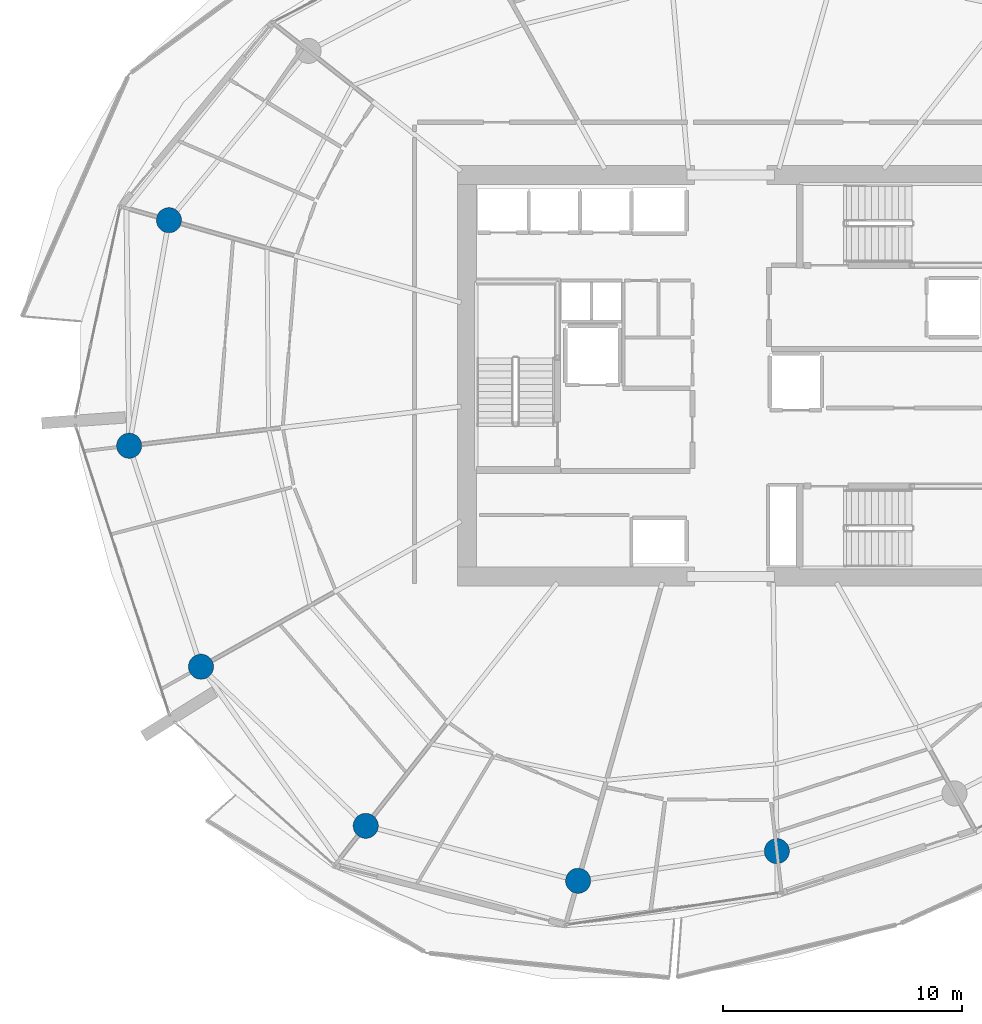
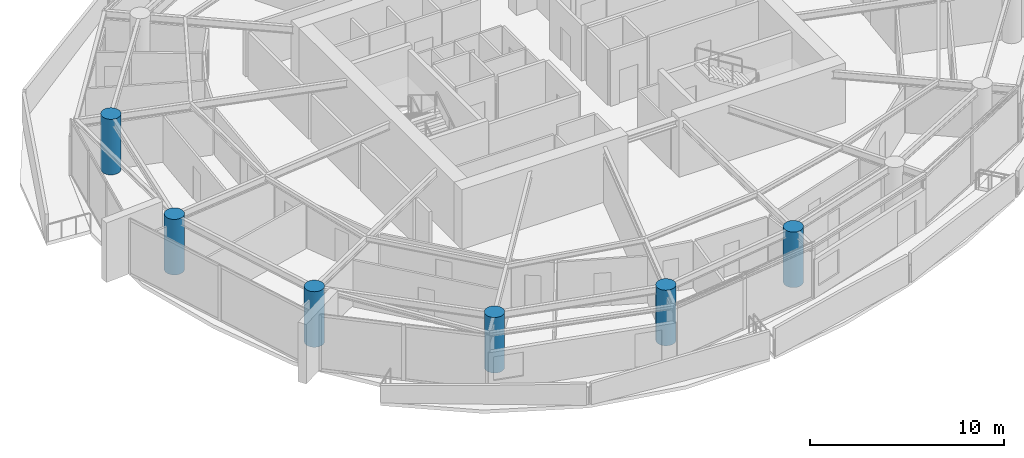
# One storey, part 1 of 20: 6 columns.
"""IFC4 building model written with IfcOpenShell, lengths in metres."""

from ifc_helpers import new_model, si_unit, direction, frame, origin, origin_2d, place, context, subcontext, project, spatial, circle, extrude, material, material_profile, profile_set, type_object, element, save


model = new_model("IFC4")

# Units and contexts
model_context = context("Model", 3, precision=1e-05, world=origin(), true_north=direction((0.0, 1.0)))
body_context = subcontext(model_context, "Body", "Model", "MODEL_VIEW")
ifc_project = project(units=[si_unit("LENGTHUNIT", "METRE"), si_unit("AREAUNIT", "SQUARE_METRE"), si_unit("VOLUMEUNIT", "CUBIC_METRE"), si_unit("PLANEANGLEUNIT", "RADIAN"), si_unit("MASSUNIT", "GRAM", prefix="KILO")], contexts=[model_context])

# Site, building, storey
site_placement = place(None, origin())
site = spatial("IfcSite", under=ifc_project, at=site_placement, CompositionType="ELEMENT")
building_placement = place(site_placement, origin())
building = spatial("IfcBuilding", under=site, at=building_placement, Name="Kazma Halo Residences", CompositionType="ELEMENT")
storey_placement = place(building_placement, frame((0.0, 0.0, 169.050048828125)))
storey = spatial("IfcBuildingStorey", under=building, at=storey_placement, Name="L42", CompositionType="ELEMENT", Elevation=169.050048828125)

# Columns
ifc_material = material(Name="Concrete C80/95", Category="concrete")
ifc_material_profile = material_profile(ifc_material, circle(Radius=0.52490234375, at=origin_2d()), Name="CIRC1050")
ifc_profile_set = profile_set([ifc_material_profile], Name="Concrete C80/95")
column_type = type_object("IfcColumnType", Name="COL-PERIM-1050", PredefinedType="COLUMN", material=ifc_profile_set)
for number, where, z_axis, x_axis, name in (
    (1, (24.93017578125, 48.50634765625, 0.0), (0.0, 0.0, 1.0), (1.0, 0.0, 0.0), "L42 perimeter ring column P07"),
    (2, (23.266845703125, 39.072509765625, 0.0), (0.0, 0.0, 1.0), (1.0, 0.0, 0.0), "L42 perimeter ring column P08"),
    (3, (26.269775390625, 29.83056640625, 0.0), (0.0, 0.0, 1.0), (1.0, 0.0, 0.0), "L42 perimeter ring column P09"),
    (4, (33.160400390625, 23.17626953125, 0.0), (0.0, 0.0, 1.0), (1.0, 0.0, 0.0), "L42 perimeter ring column P10"),
    (5, (42.04296875, 20.878173828125, 0.0), (0.0, 0.0, 1.0), (1.0, 0.0, 0.0), "L42 perimeter ring column P11"),
    (6, (50.35302734375, 22.118896484375, 0.0), (0.0, 0.0, 1.0), (1.0, 0.0, 0.0), "L42 perimeter ring column P12"),
):
    element("IfcColumn", number, at=place(storey_placement, frame(where, z_axis=z_axis, x_axis=x_axis)), inside=storey, type_object=column_type, Name=name, PredefinedType="COLUMN", context=body_context, shape_type="SweptSolid", body=[
        extrude(circle(Radius=0.52490234375, at=origin_2d()), origin(), (0.0, 0.0, 1.0), 3.5),
    ])

save(model, "model.ifc")
